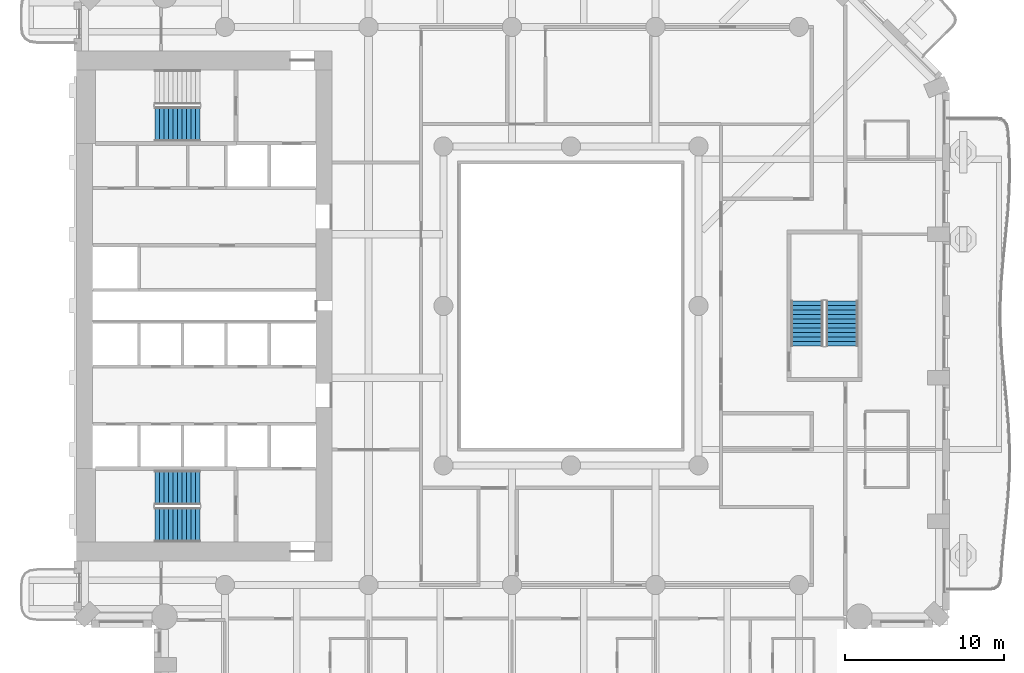
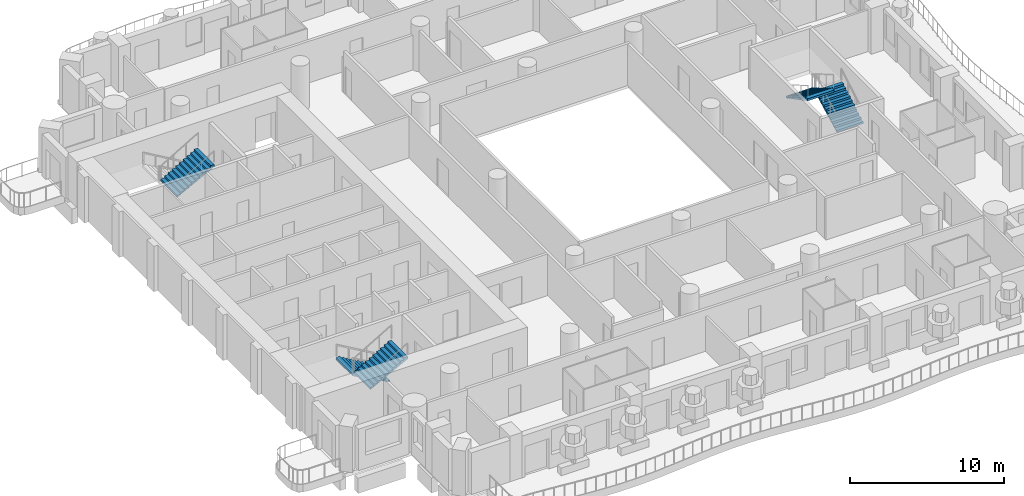
# One storey, part 10 of 19: 5 stair flights, 3 elements without a shape of their own.
"""IFC4 building model written with IfcOpenShell, lengths in metres."""

from ifc_helpers import new_model, si_unit, direction, frame, origin, place, context, subcontext, project, spatial, triangles, material, type_object, element, aggregate, save


model = new_model("IFC4")

# Units and contexts
model_context = context("Model", 3, precision=1e-05, world=origin(), true_north=direction((0.0, 1.0)))
body_context = subcontext(model_context, "Body", "Model", "MODEL_VIEW")
ifc_project = project(units=[si_unit("LENGTHUNIT", "METRE"), si_unit("AREAUNIT", "SQUARE_METRE"), si_unit("VOLUMEUNIT", "CUBIC_METRE"), si_unit("PLANEANGLEUNIT", "RADIAN"), si_unit("MASSUNIT", "GRAM", prefix="KILO")], contexts=[model_context])

# Site, building, storey
site_placement = place(None, origin())
site = spatial("IfcSite", under=ifc_project, at=site_placement, CompositionType="ELEMENT")
building_placement = place(site_placement, origin())
building = spatial("IfcBuilding", under=site, at=building_placement, Name="Cypress Arch Tower", CompositionType="ELEMENT")
storey_placement = place(building_placement, frame((0.0, 0.0, 66.300048828125)))
storey = spatial("IfcBuildingStorey", under=building, at=storey_placement, Name="L10", CompositionType="ELEMENT", Elevation=66.300048828125)

# Stair, stair flights
ifc_material_1 = material(Name="Concrete C40/50", Category="concrete")
stair_type_1 = type_object("IfcStairType", Name="Exit stair ES1636-200", PredefinedType="HALF_TURN_STAIR", material=ifc_material_1)
stair_1_placement = place(storey_placement, origin())
stair_1 = element("IfcStair", 1, at=stair_1_placement, inside=storey, type_object=stair_type_1, Name="L10 Exit stair C", PredefinedType="HALF_TURN_STAIR")
ifc_material_2 = material(Name="Concrete C40/50", Category="concrete")
stair_flight_type_1 = type_object("IfcStairFlightType", Name="Exit stair flight ES1636-200", PredefinedType="STRAIGHT", material=ifc_material_2)
stair_flight_1_placement = place(storey_placement, frame((18.0, -2.5, 0.0), z_axis=(0.0, 0.0, 1.0), x_axis=(0.0, 1.0, 0.0)))
stair_flight_1 = element("IfcStairFlight", 2, at=stair_flight_1_placement, type_object=stair_flight_type_1, Name="C flight 1", NumberOfRisers=11, NumberOfTreads=10, PredefinedType="STRAIGHT", RiserHeight=0.163636364, TreadLength=0.28, context=body_context, shape_type="Tessellation", body=[
    triangles([(0.0, -1.0, 0.0), (0.00048828125, -1.0, 0.054443359375), (0.00048828125, -1.0, 0.109130859375), (0.0, -1.0, 0.16357421875), (0.280029296875, -1.0, 0.16357421875), (0.280029296875, -1.0, 0.327392578125), (0.56005859375, -1.0, 0.327392578125), (0.56005859375, -1.0, 0.490966796875), (0.840087890625, -1.0, 0.490966796875), (0.840087890625, -1.0, 0.654541015625), (1.1201171875, -1.0, 0.654541015625), (1.1201171875, -1.0, 0.818115234375), (1.39990234375, -1.0, 0.818115234375), (1.39990234375, -1.0, 0.98193359375), (1.679931640625, -1.0, 0.98193359375), (1.679931640625, -1.0, 1.1455078125), (1.9599609375, -1.0, 1.1455078125), (1.9599609375, -1.0, 1.30908203125), (2.239990234375, -1.0, 1.30908203125), (2.239990234375, -1.0, 1.47265625), (2.52001953125, -1.0, 1.47265625), (2.52001953125, -1.0, 1.636474609375), (2.800048828125, -1.0, 1.636474609375), (2.799560546875, -1.0, 1.57861328125), (2.799560546875, -1.0, 1.5205078125), (2.800048828125, -1.0, 1.462646484375), (2.800048828125, 1.0, 1.462646484375), (2.799560546875, 1.0, 1.5205078125), (2.799560546875, 1.0, 1.57861328125), (2.800048828125, 1.0, 1.636474609375), (2.52001953125, 1.0, 1.636474609375), (2.52001953125, 1.0, 1.47265625), (2.239990234375, 1.0, 1.47265625), (2.239990234375, 1.0, 1.30908203125), (1.9599609375, 1.0, 1.30908203125), (1.9599609375, 1.0, 1.1455078125), (1.679931640625, 1.0, 1.1455078125), (1.679931640625, 1.0, 0.98193359375), (1.39990234375, 1.0, 0.98193359375), (1.39990234375, 1.0, 0.818115234375), (1.1201171875, 1.0, 0.818115234375), (1.1201171875, 1.0, 0.654541015625), (0.840087890625, 1.0, 0.654541015625), (0.840087890625, 1.0, 0.490966796875), (0.56005859375, 1.0, 0.490966796875), (0.56005859375, 1.0, 0.327392578125), (0.280029296875, 1.0, 0.327392578125), (0.280029296875, 1.0, 0.16357421875), (0.0, 1.0, 0.16357421875), (0.00048828125, 1.0, 0.109130859375), (0.00048828125, 1.0, 0.054443359375), (0.0, 1.0, 0.0), (2.799560546875, 0.0, 1.5205078125), (2.800048828125, 0.0, 1.462646484375), (2.799560546875, 0.0, 1.57861328125), (2.800048828125, 0.0, 1.636474609375), (2.52001953125, 0.0, 1.636474609375), (2.52001953125, 0.0, 1.47265625), (2.239990234375, 0.0, 1.47265625), (2.239990234375, 0.0, 1.30908203125), (1.9599609375, 0.0, 1.30908203125), (1.9599609375, 0.0, 1.1455078125), (1.679931640625, 0.0, 1.1455078125), (1.679931640625, 0.0, 0.98193359375), (1.39990234375, 0.0, 0.98193359375), (1.39990234375, 0.0, 0.818115234375), (1.1201171875, 0.0, 0.818115234375), (1.1201171875, 0.0, 0.654541015625), (0.840087890625, 0.0, 0.654541015625), (0.840087890625, 0.0, 0.490966796875), (0.56005859375, 0.0, 0.490966796875), (0.56005859375, 0.0, 0.327392578125), (0.280029296875, 0.0, 0.327392578125), (0.280029296875, 0.0, 0.16357421875), (0.0, 0.0, 0.16357421875), (0.00048828125, 0.0, 0.109130859375), (0.00048828125, 0.0, 0.054443359375), (0.0, 0.0, 0.0)], [[26, 25, 22], [25, 24, 22], [24, 23, 22], [15, 14, 13], [7, 6, 5], [13, 12, 11], [21, 20, 19], [19, 18, 17], [17, 16, 15], [11, 10, 9], [9, 8, 7], [4, 3, 5], [3, 2, 5], [2, 1, 5], [26, 22, 21], [26, 21, 19], [26, 19, 17], [26, 17, 15], [26, 15, 13], [26, 13, 11], [26, 11, 9], [26, 9, 7], [26, 7, 5], [26, 5, 1], [27, 31, 28], [28, 31, 29], [29, 31, 30], [38, 40, 39], [46, 48, 47], [40, 42, 41], [32, 34, 33], [34, 36, 35], [36, 38, 37], [42, 44, 43], [44, 46, 45], [49, 48, 50], [50, 48, 51], [51, 48, 52], [27, 32, 31], [27, 34, 32], [27, 36, 34], [27, 38, 36], [27, 40, 38], [27, 42, 40], [27, 44, 42], [27, 46, 44], [27, 48, 46], [27, 52, 48], [54, 53, 25], [54, 25, 26], [27, 28, 53], [27, 53, 54], [53, 55, 24], [53, 24, 25], [28, 29, 55], [28, 55, 53], [55, 56, 23], [55, 23, 24], [29, 30, 56], [29, 56, 55], [56, 57, 22], [56, 22, 23], [30, 31, 57], [30, 57, 56], [57, 58, 21], [57, 21, 22], [31, 32, 58], [31, 58, 57], [58, 59, 20], [58, 20, 21], [32, 33, 59], [32, 59, 58], [59, 60, 19], [59, 19, 20], [33, 34, 60], [33, 60, 59], [60, 61, 18], [60, 18, 19], [34, 35, 61], [34, 61, 60], [61, 62, 17], [61, 17, 18], [35, 36, 62], [35, 62, 61], [62, 63, 16], [62, 16, 17], [36, 37, 63], [36, 63, 62], [63, 64, 15], [63, 15, 16], [37, 38, 64], [37, 64, 63], [64, 65, 14], [64, 14, 15], [38, 39, 65], [38, 65, 64], [65, 66, 13], [65, 13, 14], [39, 40, 66], [39, 66, 65], [66, 67, 12], [66, 12, 13], [40, 41, 67], [40, 67, 66], [67, 68, 11], [67, 11, 12], [41, 42, 68], [41, 68, 67], [68, 69, 10], [68, 10, 11], [42, 43, 69], [42, 69, 68], [69, 70, 9], [69, 9, 10], [43, 44, 70], [43, 70, 69], [70, 71, 8], [70, 8, 9], [44, 45, 71], [44, 71, 70], [71, 72, 7], [71, 7, 8], [45, 46, 72], [45, 72, 71], [72, 73, 6], [72, 6, 7], [46, 47, 73], [46, 73, 72], [73, 74, 5], [73, 5, 6], [47, 48, 74], [47, 74, 73], [74, 75, 4], [74, 4, 5], [48, 49, 75], [48, 75, 74], [75, 76, 3], [75, 3, 4], [49, 50, 76], [49, 76, 75], [76, 77, 2], [76, 2, 3], [50, 51, 77], [50, 77, 76], [77, 78, 1], [77, 1, 2], [51, 52, 78], [51, 78, 77], [78, 54, 26], [78, 26, 1], [52, 27, 54], [52, 54, 78]], closed=True),
])
stair_flight_2_placement = place(storey_placement, frame((15.800048828125, 0.300048828125, 1.800048828125), z_axis=(0.0, 0.0, 1.0), x_axis=(0.0, -1.0, 0.0)))
stair_flight_2 = element("IfcStairFlight", 3, at=stair_flight_2_placement, type_object=stair_flight_type_1, Name="C flight 2", NumberOfRisers=11, NumberOfTreads=10, PredefinedType="STRAIGHT", RiserHeight=0.163636364, TreadLength=0.28, context=body_context, shape_type="Tessellation", body=[
    triangles([(0.0, -1.0, 0.0), (0.00048828125, -1.0, 0.054443359375), (0.00048828125, -1.0, 0.109130859375), (0.0, -1.0, 0.16357421875), (0.280029296875, -1.0, 0.16357421875), (0.280029296875, -1.0, 0.327392578125), (0.56005859375, -1.0, 0.327392578125), (0.56005859375, -1.0, 0.490966796875), (0.840087890625, -1.0, 0.490966796875), (0.840087890625, -1.0, 0.654541015625), (1.1201171875, -1.0, 0.654541015625), (1.1201171875, -1.0, 0.818115234375), (1.39990234375, -1.0, 0.818115234375), (1.39990234375, -1.0, 0.98193359375), (1.679931640625, -1.0, 0.98193359375), (1.679931640625, -1.0, 1.1455078125), (1.9599609375, -1.0, 1.1455078125), (1.9599609375, -1.0, 1.30908203125), (2.239990234375, -1.0, 1.30908203125), (2.239990234375, -1.0, 1.47265625), (2.52001953125, -1.0, 1.47265625), (2.52001953125, -1.0, 1.636474609375), (2.800048828125, -1.0, 1.636474609375), (2.799560546875, -1.0, 1.57861328125), (2.799560546875, -1.0, 1.5205078125), (2.800048828125, -1.0, 1.462646484375), (2.800048828125, 1.0, 1.462646484375), (2.799560546875, 1.0, 1.5205078125), (2.799560546875, 1.0, 1.57861328125), (2.800048828125, 1.0, 1.636474609375), (2.52001953125, 1.0, 1.636474609375), (2.52001953125, 1.0, 1.47265625), (2.239990234375, 1.0, 1.47265625), (2.239990234375, 1.0, 1.30908203125), (1.9599609375, 1.0, 1.30908203125), (1.9599609375, 1.0, 1.1455078125), (1.679931640625, 1.0, 1.1455078125), (1.679931640625, 1.0, 0.98193359375), (1.39990234375, 1.0, 0.98193359375), (1.39990234375, 1.0, 0.818115234375), (1.1201171875, 1.0, 0.818115234375), (1.1201171875, 1.0, 0.654541015625), (0.840087890625, 1.0, 0.654541015625), (0.840087890625, 1.0, 0.490966796875), (0.56005859375, 1.0, 0.490966796875), (0.56005859375, 1.0, 0.327392578125), (0.280029296875, 1.0, 0.327392578125), (0.280029296875, 1.0, 0.16357421875), (0.0, 1.0, 0.16357421875), (0.00048828125, 1.0, 0.109130859375), (0.00048828125, 1.0, 0.054443359375), (0.0, 1.0, 0.0), (2.799560546875, 0.0, 1.5205078125), (2.800048828125, 0.0, 1.462646484375), (2.799560546875, 0.0, 1.57861328125), (2.800048828125, 0.0, 1.636474609375), (2.52001953125, 0.0, 1.636474609375), (2.52001953125, 0.0, 1.47265625), (2.239990234375, 0.0, 1.47265625), (2.239990234375, 0.0, 1.30908203125), (1.9599609375, 0.0, 1.30908203125), (1.9599609375, 0.0, 1.1455078125), (1.679931640625, 0.0, 1.1455078125), (1.679931640625, 0.0, 0.98193359375), (1.39990234375, 0.0, 0.98193359375), (1.39990234375, 0.0, 0.818115234375), (1.1201171875, 0.0, 0.818115234375), (1.1201171875, 0.0, 0.654541015625), (0.840087890625, 0.0, 0.654541015625), (0.840087890625, 0.0, 0.490966796875), (0.56005859375, 0.0, 0.490966796875), (0.56005859375, 0.0, 0.327392578125), (0.280029296875, 0.0, 0.327392578125), (0.280029296875, 0.0, 0.16357421875), (0.0, 0.0, 0.16357421875), (0.00048828125, 0.0, 0.109130859375), (0.00048828125, 0.0, 0.054443359375), (0.0, 0.0, 0.0)], [[26, 25, 22], [25, 24, 22], [24, 23, 22], [15, 14, 13], [7, 6, 5], [13, 12, 11], [21, 20, 19], [19, 18, 17], [17, 16, 15], [11, 10, 9], [9, 8, 7], [4, 3, 5], [3, 2, 5], [2, 1, 5], [26, 22, 21], [26, 21, 19], [26, 19, 17], [26, 17, 15], [26, 15, 13], [26, 13, 11], [26, 11, 9], [26, 9, 7], [26, 7, 5], [26, 5, 1], [27, 31, 28], [28, 31, 29], [29, 31, 30], [38, 40, 39], [46, 48, 47], [40, 42, 41], [32, 34, 33], [34, 36, 35], [36, 38, 37], [42, 44, 43], [44, 46, 45], [49, 48, 50], [50, 48, 51], [51, 48, 52], [27, 32, 31], [27, 34, 32], [27, 36, 34], [27, 38, 36], [27, 40, 38], [27, 42, 40], [27, 44, 42], [27, 46, 44], [27, 48, 46], [27, 52, 48], [54, 53, 25], [54, 25, 26], [27, 28, 53], [27, 53, 54], [53, 55, 24], [53, 24, 25], [28, 29, 55], [28, 55, 53], [55, 56, 23], [55, 23, 24], [29, 30, 56], [29, 56, 55], [56, 57, 22], [56, 22, 23], [30, 31, 57], [30, 57, 56], [57, 58, 21], [57, 21, 22], [31, 32, 58], [31, 58, 57], [58, 59, 20], [58, 20, 21], [32, 33, 59], [32, 59, 58], [59, 60, 19], [59, 19, 20], [33, 34, 60], [33, 60, 59], [60, 61, 18], [60, 18, 19], [34, 35, 61], [34, 61, 60], [61, 62, 17], [61, 17, 18], [35, 36, 62], [35, 62, 61], [62, 63, 16], [62, 16, 17], [36, 37, 63], [36, 63, 62], [63, 64, 15], [63, 15, 16], [37, 38, 64], [37, 64, 63], [64, 65, 14], [64, 14, 15], [38, 39, 65], [38, 65, 64], [65, 66, 13], [65, 13, 14], [39, 40, 66], [39, 66, 65], [66, 67, 12], [66, 12, 13], [40, 41, 67], [40, 67, 66], [67, 68, 11], [67, 11, 12], [41, 42, 68], [41, 68, 67], [68, 69, 10], [68, 10, 11], [42, 43, 69], [42, 69, 68], [69, 70, 9], [69, 9, 10], [43, 44, 70], [43, 70, 69], [70, 71, 8], [70, 8, 9], [44, 45, 71], [44, 71, 70], [71, 72, 7], [71, 7, 8], [45, 46, 72], [45, 72, 71], [72, 73, 6], [72, 6, 7], [46, 47, 73], [46, 73, 72], [73, 74, 5], [73, 5, 6], [47, 48, 74], [47, 74, 73], [74, 75, 4], [74, 4, 5], [48, 49, 75], [48, 75, 74], [75, 76, 3], [75, 3, 4], [49, 50, 76], [49, 76, 75], [76, 77, 2], [76, 2, 3], [50, 51, 77], [50, 77, 76], [77, 78, 1], [77, 1, 2], [51, 52, 78], [51, 78, 77], [78, 54, 26], [78, 26, 1], [52, 27, 54], [52, 54, 78]], closed=True),
])
aggregate(stair_1, [stair_flight_1, stair_flight_2])

ifc_material_3 = material(Name="Concrete C40/50", Category="concrete")
stair_type_2 = type_object("IfcStairType", Name="Exit stair ES1636-215", PredefinedType="HALF_TURN_STAIR", material=ifc_material_3)
stair_2_placement = place(storey_placement, origin())
stair_2 = element("IfcStair", 4, at=stair_2_placement, inside=storey, type_object=stair_type_2, Name="L10 Exit stair A", PredefinedType="HALF_TURN_STAIR")
ifc_material_4 = material(Name="Concrete C40/50", Category="concrete")
stair_flight_type_2 = type_object("IfcStairFlightType", Name="Exit stair flight ES1636-215", PredefinedType="STRAIGHT", material=ifc_material_4)
stair_flight_3_placement = place(storey_placement, frame((-22.27490234375, -11.39990234375, 0.0), z_axis=(0.0, 0.0, 1.0), x_axis=(-1.0, 0.0, 0.0)))
stair_flight_3 = element("IfcStairFlight", 5, at=stair_flight_3_placement, type_object=stair_flight_type_2, Name="A flight 1", NumberOfRisers=11, NumberOfTreads=10, PredefinedType="STRAIGHT", RiserHeight=0.163636364, TreadLength=0.28, context=body_context, shape_type="Tessellation", body=[
    triangles([(0.0, -1.074951171875, 0.0), (0.000244140625, -1.074951171875, 0.03271484375), (0.00048828125, -1.074951171875, 0.0654296875), (0.00048828125, -1.074951171875, 0.09814453125), (0.000244140625, -1.074951171875, 0.130859375), (0.0, -1.074951171875, 0.16357421875), (0.280029296875, -1.074951171875, 0.16357421875), (0.280029296875, -1.074951171875, 0.327392578125), (0.56005859375, -1.074951171875, 0.327392578125), (0.56005859375, -1.074951171875, 0.490966796875), (0.840087890625, -1.074951171875, 0.490966796875), (0.840087890625, -1.074951171875, 0.654541015625), (1.1201171875, -1.074951171875, 0.654541015625), (1.1201171875, -1.074951171875, 0.818115234375), (1.39990234375, -1.074951171875, 0.818115234375), (1.39990234375, -1.074951171875, 0.98193359375), (1.679931640625, -1.074951171875, 0.98193359375), (1.679931640625, -1.074951171875, 1.1455078125), (1.9599609375, -1.074951171875, 1.1455078125), (1.9599609375, -1.074951171875, 1.30908203125), (2.239990234375, -1.074951171875, 1.30908203125), (2.239990234375, -1.074951171875, 1.47265625), (2.52001953125, -1.074951171875, 1.47265625), (2.52001953125, -1.074951171875, 1.636474609375), (2.800048828125, -1.074951171875, 1.636474609375), (2.7998046875, -1.074951171875, 1.601806640625), (2.799560546875, -1.074951171875, 1.56689453125), (2.799560546875, -1.074951171875, 1.5322265625), (2.7998046875, -1.074951171875, 1.497314453125), (2.800048828125, -1.074951171875, 1.462646484375), (2.800048828125, 1.074951171875, 1.462646484375), (2.7998046875, 1.074951171875, 1.497314453125), (2.799560546875, 1.074951171875, 1.5322265625), (2.799560546875, 1.074951171875, 1.56689453125), (2.7998046875, 1.074951171875, 1.601806640625), (2.800048828125, 1.074951171875, 1.636474609375), (2.52001953125, 1.074951171875, 1.636474609375), (2.52001953125, 1.074951171875, 1.47265625), (2.239990234375, 1.074951171875, 1.47265625), (2.239990234375, 1.074951171875, 1.30908203125), (1.9599609375, 1.074951171875, 1.30908203125), (1.9599609375, 1.074951171875, 1.1455078125), (1.679931640625, 1.074951171875, 1.1455078125), (1.679931640625, 1.074951171875, 0.98193359375), (1.39990234375, 1.074951171875, 0.98193359375), (1.39990234375, 1.074951171875, 0.818115234375), (1.1201171875, 1.074951171875, 0.818115234375), (1.1201171875, 1.074951171875, 0.654541015625), (0.840087890625, 1.074951171875, 0.654541015625), (0.840087890625, 1.074951171875, 0.490966796875), (0.56005859375, 1.074951171875, 0.490966796875), (0.56005859375, 1.074951171875, 0.327392578125), (0.280029296875, 1.074951171875, 0.327392578125), (0.280029296875, 1.074951171875, 0.16357421875), (0.0, 1.074951171875, 0.16357421875), (0.000244140625, 1.074951171875, 0.130859375), (0.00048828125, 1.074951171875, 0.09814453125), (0.00048828125, 1.074951171875, 0.0654296875), (0.000244140625, 1.074951171875, 0.03271484375), (0.0, 1.074951171875, 0.0), (2.7998046875, 0.0, 1.497314453125), (2.800048828125, 0.0, 1.462646484375), (2.799560546875, 0.0, 1.5322265625), (2.799560546875, 0.0, 1.56689453125), (2.7998046875, 0.0, 1.601806640625), (2.800048828125, 0.0, 1.636474609375), (2.52001953125, 0.0, 1.636474609375), (2.52001953125, 0.0, 1.47265625), (2.239990234375, 0.0, 1.47265625), (2.239990234375, 0.0, 1.30908203125), (1.9599609375, 0.0, 1.30908203125), (1.9599609375, 0.0, 1.1455078125), (1.679931640625, 0.0, 1.1455078125), (1.679931640625, 0.0, 0.98193359375), (1.39990234375, 0.0, 0.98193359375), (1.39990234375, 0.0, 0.818115234375), (1.1201171875, 0.0, 0.818115234375), (1.1201171875, 0.0, 0.654541015625), (0.840087890625, 0.0, 0.654541015625), (0.840087890625, 0.0, 0.490966796875), (0.56005859375, 0.0, 0.490966796875), (0.56005859375, 0.0, 0.327392578125), (0.280029296875, 0.0, 0.327392578125), (0.280029296875, 0.0, 0.16357421875), (0.0, 0.0, 0.16357421875), (0.000244140625, 0.0, 0.130859375), (0.00048828125, 0.0, 0.09814453125), (0.00048828125, 0.0, 0.0654296875), (0.000244140625, 0.0, 0.03271484375), (0.0, 0.0, 0.0)], [[30, 29, 24], [29, 28, 24], [28, 27, 24], [27, 26, 24], [26, 25, 24], [17, 16, 15], [9, 8, 7], [15, 14, 13], [23, 22, 21], [21, 20, 19], [19, 18, 17], [13, 12, 11], [11, 10, 9], [6, 5, 7], [5, 4, 7], [4, 3, 7], [3, 2, 7], [2, 1, 7], [30, 24, 23], [30, 23, 21], [30, 21, 19], [30, 19, 17], [30, 17, 15], [30, 15, 13], [30, 13, 11], [30, 11, 9], [30, 9, 7], [30, 7, 1], [31, 37, 32], [32, 37, 33], [33, 37, 34], [34, 37, 35], [35, 37, 36], [44, 46, 45], [52, 54, 53], [46, 48, 47], [38, 40, 39], [40, 42, 41], [42, 44, 43], [48, 50, 49], [50, 52, 51], [55, 54, 56], [56, 54, 57], [57, 54, 58], [58, 54, 59], [59, 54, 60], [31, 38, 37], [31, 40, 38], [31, 42, 40], [31, 44, 42], [31, 46, 44], [31, 48, 46], [31, 50, 48], [31, 52, 50], [31, 54, 52], [31, 60, 54], [62, 61, 29], [62, 29, 30], [31, 32, 61], [31, 61, 62], [61, 63, 28], [61, 28, 29], [32, 33, 63], [32, 63, 61], [63, 64, 27], [63, 27, 28], [33, 34, 64], [33, 64, 63], [64, 65, 26], [64, 26, 27], [34, 35, 65], [34, 65, 64], [65, 66, 25], [65, 25, 26], [35, 36, 66], [35, 66, 65], [66, 67, 24], [66, 24, 25], [36, 37, 67], [36, 67, 66], [67, 68, 23], [67, 23, 24], [37, 38, 68], [37, 68, 67], [68, 69, 22], [68, 22, 23], [38, 39, 69], [38, 69, 68], [69, 70, 21], [69, 21, 22], [39, 40, 70], [39, 70, 69], [70, 71, 20], [70, 20, 21], [40, 41, 71], [40, 71, 70], [71, 72, 19], [71, 19, 20], [41, 42, 72], [41, 72, 71], [72, 73, 18], [72, 18, 19], [42, 43, 73], [42, 73, 72], [73, 74, 17], [73, 17, 18], [43, 44, 74], [43, 74, 73], [74, 75, 16], [74, 16, 17], [44, 45, 75], [44, 75, 74], [75, 76, 15], [75, 15, 16], [45, 46, 76], [45, 76, 75], [76, 77, 14], [76, 14, 15], [46, 47, 77], [46, 77, 76], [77, 78, 13], [77, 13, 14], [47, 48, 78], [47, 78, 77], [78, 79, 12], [78, 12, 13], [48, 49, 79], [48, 79, 78], [79, 80, 11], [79, 11, 12], [49, 50, 80], [49, 80, 79], [80, 81, 10], [80, 10, 11], [50, 51, 81], [50, 81, 80], [81, 82, 9], [81, 9, 10], [51, 52, 82], [51, 82, 81], [82, 83, 8], [82, 8, 9], [52, 53, 83], [52, 83, 82], [83, 84, 7], [83, 7, 8], [53, 54, 84], [53, 84, 83], [84, 85, 6], [84, 6, 7], [54, 55, 85], [54, 85, 84], [85, 86, 5], [85, 5, 6], [55, 56, 86], [55, 86, 85], [86, 87, 4], [86, 4, 5], [56, 57, 87], [56, 87, 86], [87, 88, 3], [87, 3, 4], [57, 58, 88], [57, 88, 87], [88, 89, 2], [88, 2, 3], [58, 59, 89], [58, 89, 88], [89, 90, 1], [89, 1, 2], [59, 60, 90], [59, 90, 89], [90, 62, 30], [90, 30, 1], [60, 31, 62], [60, 62, 90]], closed=True),
])
stair_flight_4_placement = place(storey_placement, frame((-25.074951171875, -13.72509765625, 1.800048828125), z_axis=(0.0, 0.0, 1.0), x_axis=(1.0, 0.0, 0.0)))
stair_flight_4 = element("IfcStairFlight", 6, at=stair_flight_4_placement, type_object=stair_flight_type_2, Name="A flight 2", NumberOfRisers=11, NumberOfTreads=10, PredefinedType="STRAIGHT", RiserHeight=0.163636364, TreadLength=0.28, context=body_context, shape_type="Tessellation", body=[
    triangles([(0.0, -1.074951171875, 0.0), (0.000244140625, -1.074951171875, 0.03271484375), (0.00048828125, -1.074951171875, 0.0654296875), (0.00048828125, -1.074951171875, 0.09814453125), (0.000244140625, -1.074951171875, 0.130859375), (0.0, -1.074951171875, 0.16357421875), (0.280029296875, -1.074951171875, 0.16357421875), (0.280029296875, -1.074951171875, 0.327392578125), (0.56005859375, -1.074951171875, 0.327392578125), (0.56005859375, -1.074951171875, 0.490966796875), (0.840087890625, -1.074951171875, 0.490966796875), (0.840087890625, -1.074951171875, 0.654541015625), (1.1201171875, -1.074951171875, 0.654541015625), (1.1201171875, -1.074951171875, 0.818115234375), (1.39990234375, -1.074951171875, 0.818115234375), (1.39990234375, -1.074951171875, 0.98193359375), (1.679931640625, -1.074951171875, 0.98193359375), (1.679931640625, -1.074951171875, 1.1455078125), (1.9599609375, -1.074951171875, 1.1455078125), (1.9599609375, -1.074951171875, 1.30908203125), (2.239990234375, -1.074951171875, 1.30908203125), (2.239990234375, -1.074951171875, 1.47265625), (2.52001953125, -1.074951171875, 1.47265625), (2.52001953125, -1.074951171875, 1.636474609375), (2.800048828125, -1.074951171875, 1.636474609375), (2.7998046875, -1.074951171875, 1.601806640625), (2.799560546875, -1.074951171875, 1.56689453125), (2.799560546875, -1.074951171875, 1.5322265625), (2.7998046875, -1.074951171875, 1.497314453125), (2.800048828125, -1.074951171875, 1.462646484375), (2.800048828125, 1.074951171875, 1.462646484375), (2.7998046875, 1.074951171875, 1.497314453125), (2.799560546875, 1.074951171875, 1.5322265625), (2.799560546875, 1.074951171875, 1.56689453125), (2.7998046875, 1.074951171875, 1.601806640625), (2.800048828125, 1.074951171875, 1.636474609375), (2.52001953125, 1.074951171875, 1.636474609375), (2.52001953125, 1.074951171875, 1.47265625), (2.239990234375, 1.074951171875, 1.47265625), (2.239990234375, 1.074951171875, 1.30908203125), (1.9599609375, 1.074951171875, 1.30908203125), (1.9599609375, 1.074951171875, 1.1455078125), (1.679931640625, 1.074951171875, 1.1455078125), (1.679931640625, 1.074951171875, 0.98193359375), (1.39990234375, 1.074951171875, 0.98193359375), (1.39990234375, 1.074951171875, 0.818115234375), (1.1201171875, 1.074951171875, 0.818115234375), (1.1201171875, 1.074951171875, 0.654541015625), (0.840087890625, 1.074951171875, 0.654541015625), (0.840087890625, 1.074951171875, 0.490966796875), (0.56005859375, 1.074951171875, 0.490966796875), (0.56005859375, 1.074951171875, 0.327392578125), (0.280029296875, 1.074951171875, 0.327392578125), (0.280029296875, 1.074951171875, 0.16357421875), (0.0, 1.074951171875, 0.16357421875), (0.000244140625, 1.074951171875, 0.130859375), (0.00048828125, 1.074951171875, 0.09814453125), (0.00048828125, 1.074951171875, 0.0654296875), (0.000244140625, 1.074951171875, 0.03271484375), (0.0, 1.074951171875, 0.0), (2.7998046875, 0.0, 1.497314453125), (2.800048828125, 0.0, 1.462646484375), (2.799560546875, 0.0, 1.5322265625), (2.799560546875, 0.0, 1.56689453125), (2.7998046875, 0.0, 1.601806640625), (2.800048828125, 0.0, 1.636474609375), (2.52001953125, 0.0, 1.636474609375), (2.52001953125, 0.0, 1.47265625), (2.239990234375, 0.0, 1.47265625), (2.239990234375, 0.0, 1.30908203125), (1.9599609375, 0.0, 1.30908203125), (1.9599609375, 0.0, 1.1455078125), (1.679931640625, 0.0, 1.1455078125), (1.679931640625, 0.0, 0.98193359375), (1.39990234375, 0.0, 0.98193359375), (1.39990234375, 0.0, 0.818115234375), (1.1201171875, 0.0, 0.818115234375), (1.1201171875, 0.0, 0.654541015625), (0.840087890625, 0.0, 0.654541015625), (0.840087890625, 0.0, 0.490966796875), (0.56005859375, 0.0, 0.490966796875), (0.56005859375, 0.0, 0.327392578125), (0.280029296875, 0.0, 0.327392578125), (0.280029296875, 0.0, 0.16357421875), (0.0, 0.0, 0.16357421875), (0.000244140625, 0.0, 0.130859375), (0.00048828125, 0.0, 0.09814453125), (0.00048828125, 0.0, 0.0654296875), (0.000244140625, 0.0, 0.03271484375), (0.0, 0.0, 0.0)], [[30, 29, 24], [29, 28, 24], [28, 27, 24], [27, 26, 24], [26, 25, 24], [17, 16, 15], [9, 8, 7], [15, 14, 13], [23, 22, 21], [21, 20, 19], [19, 18, 17], [13, 12, 11], [11, 10, 9], [6, 5, 7], [5, 4, 7], [4, 3, 7], [3, 2, 7], [2, 1, 7], [30, 24, 23], [30, 23, 21], [30, 21, 19], [30, 19, 17], [30, 17, 15], [30, 15, 13], [30, 13, 11], [30, 11, 9], [30, 9, 7], [30, 7, 1], [31, 37, 32], [32, 37, 33], [33, 37, 34], [34, 37, 35], [35, 37, 36], [44, 46, 45], [52, 54, 53], [46, 48, 47], [38, 40, 39], [40, 42, 41], [42, 44, 43], [48, 50, 49], [50, 52, 51], [55, 54, 56], [56, 54, 57], [57, 54, 58], [58, 54, 59], [59, 54, 60], [31, 38, 37], [31, 40, 38], [31, 42, 40], [31, 44, 42], [31, 46, 44], [31, 48, 46], [31, 50, 48], [31, 52, 50], [31, 54, 52], [31, 60, 54], [62, 61, 29], [62, 29, 30], [31, 32, 61], [31, 61, 62], [61, 63, 28], [61, 28, 29], [32, 33, 63], [32, 63, 61], [63, 64, 27], [63, 27, 28], [33, 34, 64], [33, 64, 63], [64, 65, 26], [64, 26, 27], [34, 35, 65], [34, 65, 64], [65, 66, 25], [65, 25, 26], [35, 36, 66], [35, 66, 65], [66, 67, 24], [66, 24, 25], [36, 37, 67], [36, 67, 66], [67, 68, 23], [67, 23, 24], [37, 38, 68], [37, 68, 67], [68, 69, 22], [68, 22, 23], [38, 39, 69], [38, 69, 68], [69, 70, 21], [69, 21, 22], [39, 40, 70], [39, 70, 69], [70, 71, 20], [70, 20, 21], [40, 41, 71], [40, 71, 70], [71, 72, 19], [71, 19, 20], [41, 42, 72], [41, 72, 71], [72, 73, 18], [72, 18, 19], [42, 43, 73], [42, 73, 72], [73, 74, 17], [73, 17, 18], [43, 44, 74], [43, 74, 73], [74, 75, 16], [74, 16, 17], [44, 45, 75], [44, 75, 74], [75, 76, 15], [75, 15, 16], [45, 46, 76], [45, 76, 75], [76, 77, 14], [76, 14, 15], [46, 47, 77], [46, 77, 76], [77, 78, 13], [77, 13, 14], [47, 48, 78], [47, 78, 77], [78, 79, 12], [78, 12, 13], [48, 49, 79], [48, 79, 78], [79, 80, 11], [79, 11, 12], [49, 50, 80], [49, 80, 79], [80, 81, 10], [80, 10, 11], [50, 51, 81], [50, 81, 80], [81, 82, 9], [81, 9, 10], [51, 52, 82], [51, 82, 81], [82, 83, 8], [82, 8, 9], [52, 53, 83], [52, 83, 82], [83, 84, 7], [83, 7, 8], [53, 54, 84], [53, 84, 83], [84, 85, 6], [84, 6, 7], [54, 55, 85], [54, 85, 84], [85, 86, 5], [85, 5, 6], [55, 56, 86], [55, 86, 85], [86, 87, 4], [86, 4, 5], [56, 57, 87], [56, 87, 86], [87, 88, 3], [87, 3, 4], [57, 58, 88], [57, 88, 87], [88, 89, 2], [88, 2, 3], [58, 59, 89], [58, 89, 88], [89, 90, 1], [89, 1, 2], [59, 60, 90], [59, 90, 89], [90, 62, 30], [90, 30, 1], [60, 31, 62], [60, 62, 90]], closed=True),
])
aggregate(stair_2, [stair_flight_3, stair_flight_4])

# Stair, stair flight
stair_3_placement = place(storey_placement, origin())
stair_3 = element("IfcStair", 7, at=stair_3_placement, inside=storey, type_object=stair_type_2, Name="L10 Exit stair B", PredefinedType="HALF_TURN_STAIR")
stair_flight_5_placement = place(storey_placement, frame((-25.074951171875, 11.39990234375, 1.800048828125), z_axis=(0.0, 0.0, 1.0), x_axis=(1.0, 0.0, 0.0)))
stair_flight_5 = element("IfcStairFlight", 8, at=stair_flight_5_placement, type_object=stair_flight_type_2, Name="B flight 2", NumberOfRisers=11, NumberOfTreads=10, PredefinedType="STRAIGHT", RiserHeight=0.163636364, TreadLength=0.28, context=body_context, shape_type="Tessellation", body=[
    triangles([(0.0, -1.074951171875, 0.0), (0.000244140625, -1.074951171875, 0.03271484375), (0.00048828125, -1.074951171875, 0.0654296875), (0.00048828125, -1.074951171875, 0.09814453125), (0.000244140625, -1.074951171875, 0.130859375), (0.0, -1.074951171875, 0.16357421875), (0.280029296875, -1.074951171875, 0.16357421875), (0.280029296875, -1.074951171875, 0.327392578125), (0.56005859375, -1.074951171875, 0.327392578125), (0.56005859375, -1.074951171875, 0.490966796875), (0.840087890625, -1.074951171875, 0.490966796875), (0.840087890625, -1.074951171875, 0.654541015625), (1.1201171875, -1.074951171875, 0.654541015625), (1.1201171875, -1.074951171875, 0.818115234375), (1.39990234375, -1.074951171875, 0.818115234375), (1.39990234375, -1.074951171875, 0.98193359375), (1.679931640625, -1.074951171875, 0.98193359375), (1.679931640625, -1.074951171875, 1.1455078125), (1.9599609375, -1.074951171875, 1.1455078125), (1.9599609375, -1.074951171875, 1.30908203125), (2.239990234375, -1.074951171875, 1.30908203125), (2.239990234375, -1.074951171875, 1.47265625), (2.52001953125, -1.074951171875, 1.47265625), (2.52001953125, -1.074951171875, 1.636474609375), (2.800048828125, -1.074951171875, 1.636474609375), (2.7998046875, -1.074951171875, 1.601806640625), (2.799560546875, -1.074951171875, 1.56689453125), (2.799560546875, -1.074951171875, 1.5322265625), (2.7998046875, -1.074951171875, 1.497314453125), (2.800048828125, -1.074951171875, 1.462646484375), (2.800048828125, 1.074951171875, 1.462646484375), (2.7998046875, 1.074951171875, 1.497314453125), (2.799560546875, 1.074951171875, 1.5322265625), (2.799560546875, 1.074951171875, 1.56689453125), (2.7998046875, 1.074951171875, 1.601806640625), (2.800048828125, 1.074951171875, 1.636474609375), (2.52001953125, 1.074951171875, 1.636474609375), (2.52001953125, 1.074951171875, 1.47265625), (2.239990234375, 1.074951171875, 1.47265625), (2.239990234375, 1.074951171875, 1.30908203125), (1.9599609375, 1.074951171875, 1.30908203125), (1.9599609375, 1.074951171875, 1.1455078125), (1.679931640625, 1.074951171875, 1.1455078125), (1.679931640625, 1.074951171875, 0.98193359375), (1.39990234375, 1.074951171875, 0.98193359375), (1.39990234375, 1.074951171875, 0.818115234375), (1.1201171875, 1.074951171875, 0.818115234375), (1.1201171875, 1.074951171875, 0.654541015625), (0.840087890625, 1.074951171875, 0.654541015625), (0.840087890625, 1.074951171875, 0.490966796875), (0.56005859375, 1.074951171875, 0.490966796875), (0.56005859375, 1.074951171875, 0.327392578125), (0.280029296875, 1.074951171875, 0.327392578125), (0.280029296875, 1.074951171875, 0.16357421875), (0.0, 1.074951171875, 0.16357421875), (0.000244140625, 1.074951171875, 0.130859375), (0.00048828125, 1.074951171875, 0.09814453125), (0.00048828125, 1.074951171875, 0.0654296875), (0.000244140625, 1.074951171875, 0.03271484375), (0.0, 1.074951171875, 0.0), (2.7998046875, 0.0, 1.497314453125), (2.800048828125, 0.0, 1.462646484375), (2.799560546875, 0.0, 1.5322265625), (2.799560546875, 0.0, 1.56689453125), (2.7998046875, 0.0, 1.601806640625), (2.800048828125, 0.0, 1.636474609375), (2.52001953125, 0.0, 1.636474609375), (2.52001953125, 0.0, 1.47265625), (2.239990234375, 0.0, 1.47265625), (2.239990234375, 0.0, 1.30908203125), (1.9599609375, 0.0, 1.30908203125), (1.9599609375, 0.0, 1.1455078125), (1.679931640625, 0.0, 1.1455078125), (1.679931640625, 0.0, 0.98193359375), (1.39990234375, 0.0, 0.98193359375), (1.39990234375, 0.0, 0.818115234375), (1.1201171875, 0.0, 0.818115234375), (1.1201171875, 0.0, 0.654541015625), (0.840087890625, 0.0, 0.654541015625), (0.840087890625, 0.0, 0.490966796875), (0.56005859375, 0.0, 0.490966796875), (0.56005859375, 0.0, 0.327392578125), (0.280029296875, 0.0, 0.327392578125), (0.280029296875, 0.0, 0.16357421875), (0.0, 0.0, 0.16357421875), (0.000244140625, 0.0, 0.130859375), (0.00048828125, 0.0, 0.09814453125), (0.00048828125, 0.0, 0.0654296875), (0.000244140625, 0.0, 0.03271484375), (0.0, 0.0, 0.0)], [[30, 29, 24], [29, 28, 24], [28, 27, 24], [27, 26, 24], [26, 25, 24], [17, 16, 15], [9, 8, 7], [15, 14, 13], [23, 22, 21], [21, 20, 19], [19, 18, 17], [13, 12, 11], [11, 10, 9], [6, 5, 7], [5, 4, 7], [4, 3, 7], [3, 2, 7], [2, 1, 7], [30, 24, 23], [30, 23, 21], [30, 21, 19], [30, 19, 17], [30, 17, 15], [30, 15, 13], [30, 13, 11], [30, 11, 9], [30, 9, 7], [30, 7, 1], [31, 37, 32], [32, 37, 33], [33, 37, 34], [34, 37, 35], [35, 37, 36], [44, 46, 45], [52, 54, 53], [46, 48, 47], [38, 40, 39], [40, 42, 41], [42, 44, 43], [48, 50, 49], [50, 52, 51], [55, 54, 56], [56, 54, 57], [57, 54, 58], [58, 54, 59], [59, 54, 60], [31, 38, 37], [31, 40, 38], [31, 42, 40], [31, 44, 42], [31, 46, 44], [31, 48, 46], [31, 50, 48], [31, 52, 50], [31, 54, 52], [31, 60, 54], [62, 61, 29], [62, 29, 30], [31, 32, 61], [31, 61, 62], [61, 63, 28], [61, 28, 29], [32, 33, 63], [32, 63, 61], [63, 64, 27], [63, 27, 28], [33, 34, 64], [33, 64, 63], [64, 65, 26], [64, 26, 27], [34, 35, 65], [34, 65, 64], [65, 66, 25], [65, 25, 26], [35, 36, 66], [35, 66, 65], [66, 67, 24], [66, 24, 25], [36, 37, 67], [36, 67, 66], [67, 68, 23], [67, 23, 24], [37, 38, 68], [37, 68, 67], [68, 69, 22], [68, 22, 23], [38, 39, 69], [38, 69, 68], [69, 70, 21], [69, 21, 22], [39, 40, 70], [39, 70, 69], [70, 71, 20], [70, 20, 21], [40, 41, 71], [40, 71, 70], [71, 72, 19], [71, 19, 20], [41, 42, 72], [41, 72, 71], [72, 73, 18], [72, 18, 19], [42, 43, 73], [42, 73, 72], [73, 74, 17], [73, 17, 18], [43, 44, 74], [43, 74, 73], [74, 75, 16], [74, 16, 17], [44, 45, 75], [44, 75, 74], [75, 76, 15], [75, 15, 16], [45, 46, 76], [45, 76, 75], [76, 77, 14], [76, 14, 15], [46, 47, 77], [46, 77, 76], [77, 78, 13], [77, 13, 14], [47, 48, 78], [47, 78, 77], [78, 79, 12], [78, 12, 13], [48, 49, 79], [48, 79, 78], [79, 80, 11], [79, 11, 12], [49, 50, 80], [49, 80, 79], [80, 81, 10], [80, 10, 11], [50, 51, 81], [50, 81, 80], [81, 82, 9], [81, 9, 10], [51, 52, 82], [51, 82, 81], [82, 83, 8], [82, 8, 9], [52, 53, 83], [52, 83, 82], [83, 84, 7], [83, 7, 8], [53, 54, 84], [53, 84, 83], [84, 85, 6], [84, 6, 7], [54, 55, 85], [54, 85, 84], [85, 86, 5], [85, 5, 6], [55, 56, 86], [55, 86, 85], [86, 87, 4], [86, 4, 5], [56, 57, 87], [56, 87, 86], [87, 88, 3], [87, 3, 4], [57, 58, 88], [57, 88, 87], [88, 89, 2], [88, 2, 3], [58, 59, 89], [58, 89, 88], [89, 90, 1], [89, 1, 2], [59, 60, 90], [59, 90, 89], [90, 62, 30], [90, 30, 1], [60, 31, 62], [60, 62, 90]], closed=True),
])
aggregate(stair_3, [stair_flight_5])

save(model, "model.ifc")
